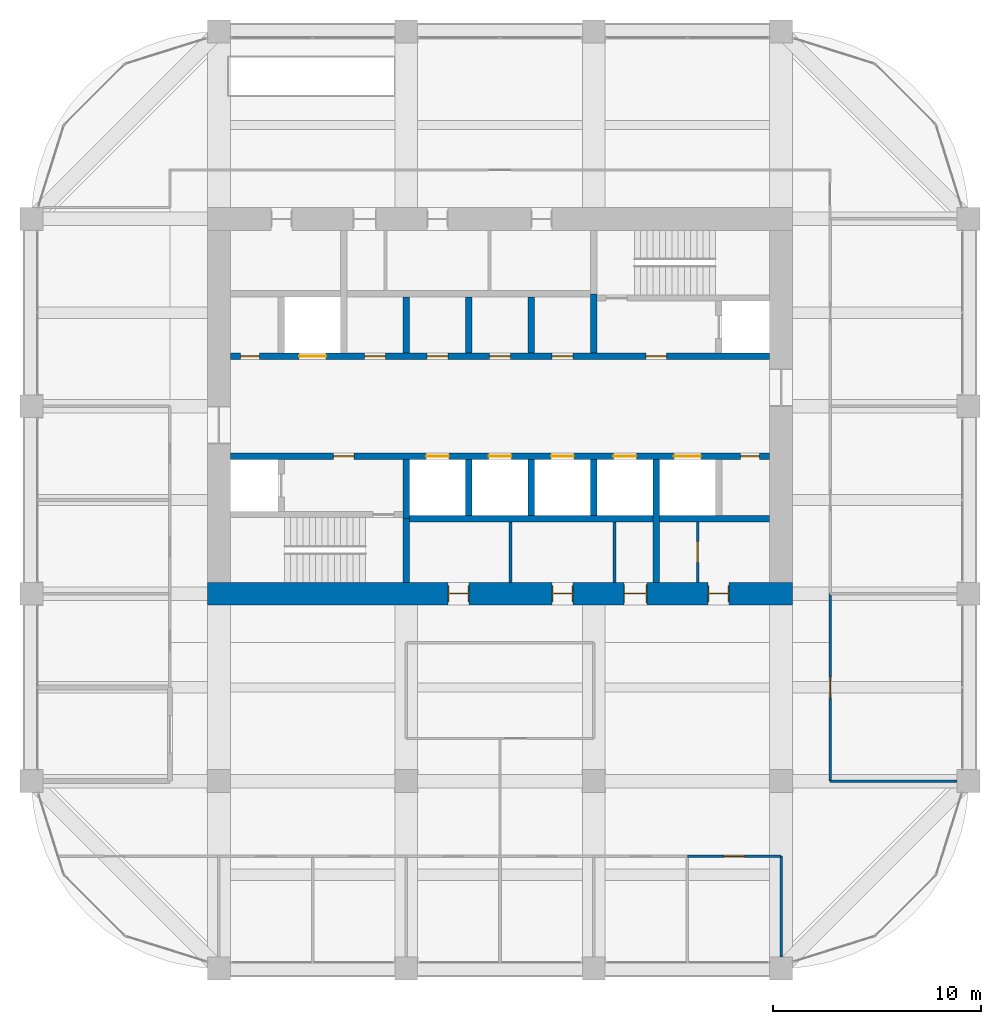
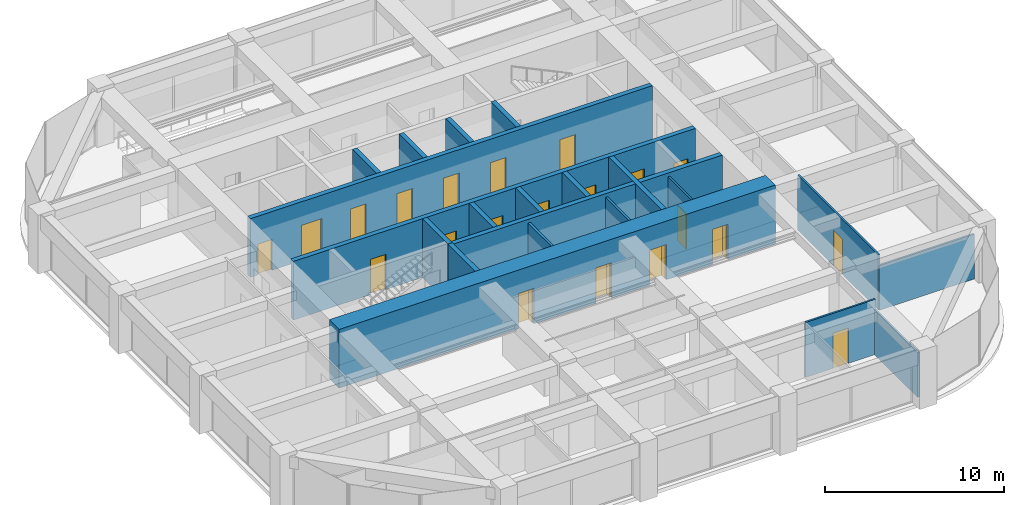
# One storey, part 42 of 44: 21 doors, 21 walls, 21 openings.
"""IFC4 building model written with IfcOpenShell, lengths in metres."""

from ifc_helpers import new_model, si_unit, direction, frame, frame_2d, origin, place, context, subcontext, project, spatial, rectangle, extrude, material, layer, layer_set, type_object, element, fill, save


model = new_model("IFC4")

# Units and contexts
model_context = context("Model", 3, precision=1e-05, world=origin(), true_north=direction((0.0, 1.0)))
body_context = subcontext(model_context, "Body", "Model", "MODEL_VIEW")
ifc_project = project(units=[si_unit("LENGTHUNIT", "METRE"), si_unit("AREAUNIT", "SQUARE_METRE"), si_unit("VOLUMEUNIT", "CUBIC_METRE"), si_unit("PLANEANGLEUNIT", "RADIAN"), si_unit("MASSUNIT", "GRAM", prefix="KILO")], contexts=[model_context])

# Site, building, storey
site_placement = place(None, origin())
site = spatial("IfcSite", under=ifc_project, at=site_placement, CompositionType="ELEMENT")
building_placement = place(site_placement, origin())
building = spatial("IfcBuilding", under=site, at=building_placement, Name="Zorevar Civic Tower", CompositionType="ELEMENT")
storey_placement = place(building_placement, frame((0.0, 0.0, 275.39990234375)))
storey = spatial("IfcBuildingStorey", under=building, at=storey_placement, Name="L67", CompositionType="ELEMENT", Elevation=275.39990234375)

# Wall, openings, doors
ifc_material_1 = material(Name="Concrete C50/60", Category="concrete")
ifc_layer_1 = layer(ifc_material_1, 1.10009765625)
ifc_layer_set_1 = layer_set([ifc_layer_1], Name="Core wall 1100")
wall_type_1 = type_object("IfcWallType", Name="Core wall 1100", PredefinedType="SHEAR", material=ifc_layer_set_1)
wall_1_placement = place(storey_placement, frame((17.449951171875, 18.0, 0.0), z_axis=(0.0, 0.0, 1.0), x_axis=(1.0, 0.0, 0.0)))
wall_1 = element("IfcWall", 1, at=wall_1_placement, inside=storey, type_object=wall_type_1, Name="Core wall S L67", PredefinedType="SHEAR", context=body_context, shape_type="SweptSolid", body=[
    extrude(rectangle(XDim=28.10009765625, YDim=1.10009765625, at=frame_2d((14.050048828125, 0.0))), origin(), (0.0, 0.0, 1.0), 4.0),
])
opening_1_placement = place(wall_1_placement, frame((11.550048828125, 0.0, 0.0)))
opening_1 = element("IfcOpeningElement", 2, at=opening_1_placement, cuts=wall_1, Name="Opening L67.03", PredefinedType="OPENING", context=body_context, shape_type="SweptSolid", body=[
    extrude(rectangle(XDim=1.0, YDim=2.39990234375, at=frame_2d((0.5, 1.199951171875))), frame((0.0, 0.56005859375, 0.0), z_axis=(0.0, -1.0, 0.0), x_axis=(1.0, 0.0, 0.0)), (0.0, 0.0, 1.0), 1.1201171875),
])
opening_2_placement = place(wall_1_placement, frame((16.550048828125, 0.0, 0.0)))
opening_2 = element("IfcOpeningElement", 3, at=opening_2_placement, cuts=wall_1, Name="Opening L67.04", PredefinedType="OPENING", context=body_context, shape_type="SweptSolid", body=[
    extrude(rectangle(XDim=1.0, YDim=2.39990234375, at=frame_2d((0.5, 1.199951171875))), frame((0.0, 0.56005859375, 0.0), z_axis=(0.0, -1.0, 0.0), x_axis=(1.0, 0.0, 0.0)), (0.0, 0.0, 1.0), 1.1201171875),
])
opening_3_placement = place(wall_1_placement, frame((20.0, 0.0, 0.0)))
opening_3 = element("IfcOpeningElement", 4, at=opening_3_placement, cuts=wall_1, Name="Opening L67.05", PredefinedType="OPENING", context=body_context, shape_type="SweptSolid", body=[
    extrude(rectangle(XDim=1.10009765625, YDim=2.39990234375, at=frame_2d((0.550048828125, 1.199951171875))), frame((0.0, 0.56005859375, 0.0), z_axis=(0.0, -1.0, 0.0), x_axis=(1.0, 0.0, 0.0)), (0.0, 0.0, 1.0), 1.1201171875),
])
opening_4_placement = place(wall_1_placement, frame((24.050048828125, 0.0, 0.0)))
opening_4 = element("IfcOpeningElement", 5, at=opening_4_placement, cuts=wall_1, Name="Opening L67.06", PredefinedType="OPENING", context=body_context, shape_type="SweptSolid", body=[
    extrude(rectangle(XDim=1.0, YDim=2.39990234375, at=frame_2d((0.5, 1.199951171875))), frame((0.0, 0.56005859375, 0.0), z_axis=(0.0, -1.0, 0.0), x_axis=(1.0, 0.0, 0.0)), (0.0, 0.0, 1.0), 1.1201171875),
])
ifc_material_2 = material(Name="Timber door set", Category="wood")
door_type_1 = type_object("IfcDoorType", Name="Door D1 1000x2400", OperationType="SINGLE_SWING_LEFT", PredefinedType="DOOR", material=ifc_material_2)
door_1_placement = place(opening_1_placement, origin())
door_1 = element("IfcDoor", 6, at=door_1_placement, inside=storey, type_object=door_type_1, Name="Door L67 02", OperationType="SINGLE_SWING_LEFT", OverallHeight=2.39990234375, OverallWidth=1.0, PredefinedType="DOOR", context=body_context, shape_type="SweptSolid", body=[
    extrude(rectangle(XDim=1.0, YDim=2.39990234375, at=frame_2d((0.5, 1.199951171875))), frame((0.0, 0.02490234375, 0.0), z_axis=(0.0, -1.0, 0.0), x_axis=(1.0, 0.0, 0.0)), (0.0, 0.0, 1.0), 0.050048828125),
    extrude(rectangle(XDim=0.04, YDim=2.39990234375, at=frame_2d((0.02001953125, 1.199951171875))), frame((0.0, 0.39990234375, 0.0), z_axis=(0.0, -1.0, 0.0), x_axis=(1.0, 0.0, 0.0)), (0.0, 0.0, 1.0), 0.800048828125),
    extrude(rectangle(XDim=0.04, YDim=2.39990234375, at=frame_2d((0.97998046875, 1.199951171875))), frame((0.0, 0.39990234375, 0.0), z_axis=(0.0, -1.0, 0.0), x_axis=(1.0, 0.0, 0.0)), (0.0, 0.0, 1.0), 0.800048828125),
    extrude(rectangle(XDim=1.0, YDim=0.04, at=frame_2d((0.5, 2.3798828125))), frame((0.0, 0.39990234375, 0.0), z_axis=(0.0, -1.0, 0.0), x_axis=(1.0, 0.0, 0.0)), (0.0, 0.0, 1.0), 0.800048828125),
])
fill(opening_1, door_1)
door_2_placement = place(opening_2_placement, origin())
door_2 = element("IfcDoor", 7, at=door_2_placement, inside=storey, type_object=door_type_1, Name="Door L67 03", OperationType="SINGLE_SWING_RIGHT", OverallHeight=2.39990234375, OverallWidth=1.0, PredefinedType="DOOR", context=body_context, shape_type="SweptSolid", body=[
    extrude(rectangle(XDim=1.0, YDim=2.39990234375, at=frame_2d((0.5, 1.199951171875))), frame((0.0, 0.02490234375, 0.0), z_axis=(0.0, -1.0, 0.0), x_axis=(1.0, 0.0, 0.0)), (0.0, 0.0, 1.0), 0.050048828125),
    extrude(rectangle(XDim=0.04, YDim=2.39990234375, at=frame_2d((0.02001953125, 1.199951171875))), frame((0.0, 0.39990234375, 0.0), z_axis=(0.0, -1.0, 0.0), x_axis=(1.0, 0.0, 0.0)), (0.0, 0.0, 1.0), 0.800048828125),
    extrude(rectangle(XDim=0.04, YDim=2.39990234375, at=frame_2d((0.97998046875, 1.199951171875))), frame((0.0, 0.39990234375, 0.0), z_axis=(0.0, -1.0, 0.0), x_axis=(1.0, 0.0, 0.0)), (0.0, 0.0, 1.0), 0.800048828125),
    extrude(rectangle(XDim=1.0, YDim=0.04, at=frame_2d((0.5, 2.3798828125))), frame((0.0, 0.39990234375, 0.0), z_axis=(0.0, -1.0, 0.0), x_axis=(1.0, 0.0, 0.0)), (0.0, 0.0, 1.0), 0.800048828125),
])
fill(opening_2, door_2)
door_3_placement = place(opening_4_placement, origin())
door_3 = element("IfcDoor", 8, at=door_3_placement, inside=storey, type_object=door_type_1, Name="Door L67 05", OperationType="SINGLE_SWING_RIGHT", OverallHeight=2.39990234375, OverallWidth=1.0, PredefinedType="DOOR", context=body_context, shape_type="SweptSolid", body=[
    extrude(rectangle(XDim=1.0, YDim=2.39990234375, at=frame_2d((0.5, 1.199951171875))), frame((0.0, 0.02490234375, 0.0), z_axis=(0.0, -1.0, 0.0), x_axis=(1.0, 0.0, 0.0)), (0.0, 0.0, 1.0), 0.050048828125),
    extrude(rectangle(XDim=0.04, YDim=2.39990234375, at=frame_2d((0.02001953125, 1.199951171875))), frame((0.0, 0.39990234375, 0.0), z_axis=(0.0, -1.0, 0.0), x_axis=(1.0, 0.0, 0.0)), (0.0, 0.0, 1.0), 0.800048828125),
    extrude(rectangle(XDim=0.04, YDim=2.39990234375, at=frame_2d((0.97998046875, 1.199951171875))), frame((0.0, 0.39990234375, 0.0), z_axis=(0.0, -1.0, 0.0), x_axis=(1.0, 0.0, 0.0)), (0.0, 0.0, 1.0), 0.800048828125),
    extrude(rectangle(XDim=1.0, YDim=0.04, at=frame_2d((0.5, 2.3798828125))), frame((0.0, 0.39990234375, 0.0), z_axis=(0.0, -1.0, 0.0), x_axis=(1.0, 0.0, 0.0)), (0.0, 0.0, 1.0), 0.800048828125),
])
fill(opening_4, door_3)
ifc_material_3 = material(Name="Timber door set", Category="wood")
door_type_2 = type_object("IfcDoorType", Name="Door D5 1100x2400", OperationType="SINGLE_SWING_LEFT", PredefinedType="DOOR", material=ifc_material_3)
door_4_placement = place(opening_3_placement, origin())
door_4 = element("IfcDoor", 9, at=door_4_placement, inside=storey, type_object=door_type_2, Name="Door L67 04", OperationType="SINGLE_SWING_RIGHT", OverallHeight=2.39990234375, OverallWidth=1.10009765625, PredefinedType="DOOR", context=body_context, shape_type="SweptSolid", body=[
    extrude(rectangle(XDim=1.10009765625, YDim=2.39990234375, at=frame_2d((0.550048828125, 1.199951171875))), frame((0.0, 0.02490234375, 0.0), z_axis=(0.0, -1.0, 0.0), x_axis=(1.0, 0.0, 0.0)), (0.0, 0.0, 1.0), 0.050048828125),
    extrude(rectangle(XDim=0.04, YDim=2.39990234375, at=frame_2d((0.02001953125, 1.199951171875))), frame((0.0, 0.43994140625, 0.0), z_axis=(0.0, -1.0, 0.0), x_axis=(1.0, 0.0, 0.0)), (0.0, 0.0, 1.0), 0.880126953125),
    extrude(rectangle(XDim=0.04, YDim=2.39990234375, at=frame_2d((1.080078125, 1.199951171875))), frame((0.0, 0.43994140625, 0.0), z_axis=(0.0, -1.0, 0.0), x_axis=(1.0, 0.0, 0.0)), (0.0, 0.0, 1.0), 0.880126953125),
    extrude(rectangle(XDim=1.10009765625, YDim=0.04, at=frame_2d((0.550048828125, 2.3798828125))), frame((0.0, 0.43994140625, 0.0), z_axis=(0.0, -1.0, 0.0), x_axis=(1.0, 0.0, 0.0)), (0.0, 0.0, 1.0), 0.880126953125),
])
fill(opening_3, door_4)

# Wall
ifc_material_4 = material(Name="Concrete C40/50", Category="concrete")
ifc_layer_2 = layer(ifc_material_4, 0.300048828125)
ifc_layer_set_2 = layer_set([ifc_layer_2], Name="Inner core wall 300")
wall_type_2 = type_object("IfcWallType", Name="Inner core wall 300", PredefinedType="SHEAR", material=ifc_layer_set_2)
wall_2_placement = place(storey_placement, frame((27.0, 18.550048828125, 0.0), z_axis=(0.0, 0.0, 1.0), x_axis=(0.0, 1.0, 0.0)))
element("IfcWall", 10, at=wall_2_placement, inside=storey, type_object=wall_type_2, Name="Inner core wall S01 L67", PredefinedType="SHEAR", context=body_context, shape_type="SweptSolid", body=[
    extrude(rectangle(XDim=3.050048828125, YDim=0.300048828125, at=frame_2d((1.52490234375, 0.0))), origin(), (0.0, 0.0, 1.0), 4.0),
])

# Wall, openings, doors
wall_3_placement = place(storey_placement, frame((18.550048828125, 24.60009765625, 0.0), z_axis=(0.0, 0.0, 1.0), x_axis=(1.0, 0.0, 0.0)))
wall_3 = element("IfcWall", 11, at=wall_3_placement, inside=storey, type_object=wall_type_2, Name="Inner core wall S03 L67", PredefinedType="SHEAR", context=body_context, shape_type="SweptSolid", body=[
    extrude(rectangle(XDim=25.89990234375, YDim=0.300048828125, at=frame_2d((12.949951171875, 0.0))), origin(), (0.0, 0.0, 1.0), 4.0),
])
opening_5_placement = place(wall_3_placement, frame((4.949951171875, 0.0, 0.0)))
opening_5 = element("IfcOpeningElement", 12, at=opening_5_placement, cuts=wall_3, Name="Opening L67.13", PredefinedType="OPENING", context=body_context, shape_type="SweptSolid", body=[
    extrude(rectangle(XDim=1.0, YDim=2.39990234375, at=frame_2d((0.5, 1.199951171875))), frame((0.0, 0.159912109375, 0.0), z_axis=(0.0, -1.0, 0.0), x_axis=(1.0, 0.0, 0.0)), (0.0, 0.0, 1.0), 0.320068359375),
])
opening_6_placement = place(wall_3_placement, frame((24.5, 0.0, 0.0)))
opening_6 = element("IfcOpeningElement", 13, at=opening_6_placement, cuts=wall_3, Name="Opening L67.15", PredefinedType="OPENING", context=body_context, shape_type="SweptSolid", body=[
    extrude(rectangle(XDim=0.89990234375, YDim=2.10009765625, at=frame_2d((0.449951171875, 1.050048828125))), frame((0.0, 0.159912109375, 0.0), z_axis=(0.0, -1.0, 0.0), x_axis=(1.0, 0.0, 0.0)), (0.0, 0.0, 1.0), 0.320068359375),
])
opening_7_placement = place(wall_3_placement, frame((9.39990234375, 0.0, 0.0)))
opening_7 = element("IfcOpeningElement", 14, at=opening_7_placement, cuts=wall_3, Name="Opening L67.LT1", PredefinedType="OPENING", context=body_context, shape_type="SweptSolid", body=[
    extrude(rectangle(XDim=1.10009765625, YDim=2.39990234375, at=frame_2d((0.550048828125, 1.199951171875))), frame((0.0, 0.159912109375, 0.0), z_axis=(0.0, -1.0, 0.0), x_axis=(1.0, 0.0, 0.0)), (0.0, 0.0, 1.0), 0.320068359375),
])
opening_8_placement = place(wall_3_placement, frame((12.39990234375, 0.0, 0.0)))
opening_8 = element("IfcOpeningElement", 15, at=opening_8_placement, cuts=wall_3, Name="Opening L67.LT2", PredefinedType="OPENING", context=body_context, shape_type="SweptSolid", body=[
    extrude(rectangle(XDim=1.10009765625, YDim=2.39990234375, at=frame_2d((0.550048828125, 1.199951171875))), frame((0.0, 0.159912109375, 0.0), z_axis=(0.0, -1.0, 0.0), x_axis=(1.0, 0.0, 0.0)), (0.0, 0.0, 1.0), 0.320068359375),
])
opening_9_placement = place(wall_3_placement, frame((15.39990234375, 0.0, 0.0)))
opening_9 = element("IfcOpeningElement", 16, at=opening_9_placement, cuts=wall_3, Name="Opening L67.LT3", PredefinedType="OPENING", context=body_context, shape_type="SweptSolid", body=[
    extrude(rectangle(XDim=1.10009765625, YDim=2.39990234375, at=frame_2d((0.550048828125, 1.199951171875))), frame((0.0, 0.159912109375, 0.0), z_axis=(0.0, -1.0, 0.0), x_axis=(1.0, 0.0, 0.0)), (0.0, 0.0, 1.0), 0.320068359375),
])
opening_10_placement = place(wall_3_placement, frame((18.39990234375, 0.0, 0.0)))
opening_10 = element("IfcOpeningElement", 17, at=opening_10_placement, cuts=wall_3, Name="Opening L67.LT4", PredefinedType="OPENING", context=body_context, shape_type="SweptSolid", body=[
    extrude(rectangle(XDim=1.10009765625, YDim=2.39990234375, at=frame_2d((0.550048828125, 1.199951171875))), frame((0.0, 0.159912109375, 0.0), z_axis=(0.0, -1.0, 0.0), x_axis=(1.0, 0.0, 0.0)), (0.0, 0.0, 1.0), 0.320068359375),
])
opening_11_placement = place(wall_3_placement, frame((21.300048828125, 0.0, 0.0)))
opening_11 = element("IfcOpeningElement", 18, at=opening_11_placement, cuts=wall_3, Name="Opening L67.SL1", PredefinedType="OPENING", context=body_context, shape_type="SweptSolid", body=[
    extrude(rectangle(XDim=1.300048828125, YDim=2.39990234375, at=frame_2d((0.64990234375, 1.199951171875))), frame((0.0, 0.159912109375, 0.0), z_axis=(0.0, -1.0, 0.0), x_axis=(1.0, 0.0, 0.0)), (0.0, 0.0, 1.0), 0.320068359375),
])
ifc_material_5 = material(Name="Steel door set", Category="steel")
door_type_3 = type_object("IfcDoorType", Name="Fire door FD1 1000x2400", OperationType="SINGLE_SWING_LEFT", PredefinedType="DOOR", material=ifc_material_5)
door_5_placement = place(opening_5_placement, origin())
door_5 = element("IfcDoor", 19, at=door_5_placement, inside=storey, type_object=door_type_3, Name="Door L67 12", OperationType="SINGLE_SWING_RIGHT", OverallHeight=2.39990234375, OverallWidth=1.0, PredefinedType="DOOR", context=body_context, shape_type="SweptSolid", body=[
    extrude(rectangle(XDim=1.0, YDim=2.39990234375, at=frame_2d((0.5, 1.199951171875))), frame((0.0, 0.030029296875, 0.0), z_axis=(0.0, -1.0, 0.0), x_axis=(1.0, 0.0, 0.0)), (0.0, 0.0, 1.0), 0.06005859375),
])
fill(opening_5, door_5)
ifc_material_6 = material(Name="Steel door set", Category="steel")
door_type_4 = type_object("IfcDoorType", Name="Landing door LD1 1100x2400", OperationType="DOUBLE_DOOR_SLIDING", PredefinedType="DOOR", material=ifc_material_6)
door_6_placement = place(opening_7_placement, origin())
door_6 = element("IfcDoor", 20, at=door_6_placement, inside=storey, type_object=door_type_4, Name="Landing door LT1 L67", OperationType="DOUBLE_DOOR_SLIDING", OverallHeight=2.39990234375, OverallWidth=1.10009765625, PredefinedType="DOOR", context=body_context, shape_type="SweptSolid", body=[
    extrude(rectangle(XDim=1.10009765625, YDim=2.39990234375, at=frame_2d((0.550048828125, 1.199951171875))), frame((0.0, 0.02001953125, 0.0), z_axis=(0.0, -1.0, 0.0), x_axis=(1.0, 0.0, 0.0)), (0.0, 0.0, 1.0), 0.0400390625),
])
fill(opening_7, door_6)
door_7_placement = place(opening_8_placement, origin())
door_7 = element("IfcDoor", 21, at=door_7_placement, inside=storey, type_object=door_type_4, Name="Landing door LT2 L67", OperationType="DOUBLE_DOOR_SLIDING", OverallHeight=2.39990234375, OverallWidth=1.10009765625, PredefinedType="DOOR", context=body_context, shape_type="SweptSolid", body=[
    extrude(rectangle(XDim=1.10009765625, YDim=2.39990234375, at=frame_2d((0.550048828125, 1.199951171875))), frame((0.0, 0.02001953125, 0.0), z_axis=(0.0, -1.0, 0.0), x_axis=(1.0, 0.0, 0.0)), (0.0, 0.0, 1.0), 0.0400390625),
])
fill(opening_8, door_7)
door_8_placement = place(opening_9_placement, origin())
door_8 = element("IfcDoor", 22, at=door_8_placement, inside=storey, type_object=door_type_4, Name="Landing door LT3 L67", OperationType="DOUBLE_DOOR_SLIDING", OverallHeight=2.39990234375, OverallWidth=1.10009765625, PredefinedType="DOOR", context=body_context, shape_type="SweptSolid", body=[
    extrude(rectangle(XDim=1.10009765625, YDim=2.39990234375, at=frame_2d((0.550048828125, 1.199951171875))), frame((0.0, 0.02001953125, 0.0), z_axis=(0.0, -1.0, 0.0), x_axis=(1.0, 0.0, 0.0)), (0.0, 0.0, 1.0), 0.0400390625),
])
fill(opening_9, door_8)
door_9_placement = place(opening_10_placement, origin())
door_9 = element("IfcDoor", 23, at=door_9_placement, inside=storey, type_object=door_type_4, Name="Landing door LT4 L67", OperationType="DOUBLE_DOOR_SLIDING", OverallHeight=2.39990234375, OverallWidth=1.10009765625, PredefinedType="DOOR", context=body_context, shape_type="SweptSolid", body=[
    extrude(rectangle(XDim=1.10009765625, YDim=2.39990234375, at=frame_2d((0.550048828125, 1.199951171875))), frame((0.0, 0.02001953125, 0.0), z_axis=(0.0, -1.0, 0.0), x_axis=(1.0, 0.0, 0.0)), (0.0, 0.0, 1.0), 0.0400390625),
])
fill(opening_10, door_9)
ifc_material_7 = material(Name="Steel door set", Category="steel")
door_type_5 = type_object("IfcDoorType", Name="Landing door LD2 1300x2400", OperationType="DOUBLE_DOOR_SLIDING", PredefinedType="DOOR", material=ifc_material_7)
door_10_placement = place(opening_11_placement, origin())
door_10 = element("IfcDoor", 24, at=door_10_placement, inside=storey, type_object=door_type_5, Name="Landing door SL1 L67", OperationType="DOUBLE_DOOR_SLIDING", OverallHeight=2.39990234375, OverallWidth=1.300048828125, PredefinedType="DOOR", context=body_context, shape_type="SweptSolid", body=[
    extrude(rectangle(XDim=1.300048828125, YDim=2.39990234375, at=frame_2d((0.64990234375, 1.199951171875))), frame((0.0, 0.02001953125, 0.0), z_axis=(0.0, -1.0, 0.0), x_axis=(1.0, 0.0, 0.0)), (0.0, 0.0, 1.0), 0.0400390625),
])
fill(opening_11, door_10)
ifc_material_8 = material(Name="Steel door set", Category="steel")
door_type_6 = type_object("IfcDoorType", Name="Riser door RD1 900x2100", OperationType="SINGLE_SWING_LEFT", PredefinedType="DOOR", material=ifc_material_8)
door_11_placement = place(opening_6_placement, origin())
door_11 = element("IfcDoor", 25, at=door_11_placement, inside=storey, type_object=door_type_6, Name="Door L67 14", OperationType="SINGLE_SWING_RIGHT", OverallHeight=2.10009765625, OverallWidth=0.89990234375, PredefinedType="DOOR", context=body_context, shape_type="SweptSolid", body=[
    extrude(rectangle(XDim=0.89990234375, YDim=2.10009765625, at=frame_2d((0.449951171875, 1.050048828125))), frame((0.0, 0.030029296875, 0.0), z_axis=(0.0, -1.0, 0.0), x_axis=(1.0, 0.0, 0.0)), (0.0, 0.0, 1.0), 0.06005859375),
])
fill(opening_6, door_11)

wall_4_placement = place(storey_placement, frame((18.550048828125, 29.39990234375, 0.0), z_axis=(0.0, 0.0, 1.0), x_axis=(1.0, 0.0, 0.0)))
wall_4 = element("IfcWall", 26, at=wall_4_placement, inside=storey, type_object=wall_type_2, Name="Inner core wall N03 L67", PredefinedType="SHEAR", context=body_context, shape_type="SweptSolid", body=[
    extrude(rectangle(XDim=25.89990234375, YDim=0.300048828125, at=frame_2d((12.949951171875, 0.0))), origin(), (0.0, 0.0, 1.0), 4.0),
])
opening_12_placement = place(wall_4_placement, frame((19.949951171875, 0.0, 0.0)))
opening_12 = element("IfcOpeningElement", 27, at=opening_12_placement, cuts=wall_4, Name="Opening L67.14", PredefinedType="OPENING", context=body_context, shape_type="SweptSolid", body=[
    extrude(rectangle(XDim=1.0, YDim=2.39990234375, at=frame_2d((0.5, 1.199951171875))), frame((0.0, 0.159912109375, 0.0), z_axis=(0.0, -1.0, 0.0), x_axis=(1.0, 0.0, 0.0)), (0.0, 0.0, 1.0), 0.320068359375),
])
opening_13_placement = place(wall_4_placement, frame((0.5, 0.0, 0.0)))
opening_13 = element("IfcOpeningElement", 28, at=opening_13_placement, cuts=wall_4, Name="Opening L67.16", PredefinedType="OPENING", context=body_context, shape_type="SweptSolid", body=[
    extrude(rectangle(XDim=0.89990234375, YDim=2.10009765625, at=frame_2d((0.449951171875, 1.050048828125))), frame((0.0, 0.159912109375, 0.0), z_axis=(0.0, -1.0, 0.0), x_axis=(1.0, 0.0, 0.0)), (0.0, 0.0, 1.0), 0.320068359375),
])
opening_14_placement = place(wall_4_placement, frame((15.449951171875, 0.0, 0.0)))
opening_14 = element("IfcOpeningElement", 29, at=opening_14_placement, cuts=wall_4, Name="Opening L67.35", PredefinedType="OPENING", context=body_context, shape_type="SweptSolid", body=[
    extrude(rectangle(XDim=1.0, YDim=2.39990234375, at=frame_2d((0.5, 1.199951171875))), frame((0.0, 0.159912109375, 0.0), z_axis=(0.0, -1.0, 0.0), x_axis=(1.0, 0.0, 0.0)), (0.0, 0.0, 1.0), 0.320068359375),
])
opening_15_placement = place(wall_4_placement, frame((12.449951171875, 0.0, 0.0)))
opening_15 = element("IfcOpeningElement", 30, at=opening_15_placement, cuts=wall_4, Name="Opening L67.36", PredefinedType="OPENING", context=body_context, shape_type="SweptSolid", body=[
    extrude(rectangle(XDim=1.0, YDim=2.39990234375, at=frame_2d((0.5, 1.199951171875))), frame((0.0, 0.159912109375, 0.0), z_axis=(0.0, -1.0, 0.0), x_axis=(1.0, 0.0, 0.0)), (0.0, 0.0, 1.0), 0.320068359375),
])
opening_16_placement = place(wall_4_placement, frame((9.449951171875, 0.0, 0.0)))
opening_16 = element("IfcOpeningElement", 31, at=opening_16_placement, cuts=wall_4, Name="Opening L67.37", PredefinedType="OPENING", context=body_context, shape_type="SweptSolid", body=[
    extrude(rectangle(XDim=1.0, YDim=2.39990234375, at=frame_2d((0.5, 1.199951171875))), frame((0.0, 0.159912109375, 0.0), z_axis=(0.0, -1.0, 0.0), x_axis=(1.0, 0.0, 0.0)), (0.0, 0.0, 1.0), 0.320068359375),
])
opening_17_placement = place(wall_4_placement, frame((6.449951171875, 0.0, 0.0)))
opening_17 = element("IfcOpeningElement", 32, at=opening_17_placement, cuts=wall_4, Name="Opening L67.38", PredefinedType="OPENING", context=body_context, shape_type="SweptSolid", body=[
    extrude(rectangle(XDim=1.0, YDim=2.39990234375, at=frame_2d((0.5, 1.199951171875))), frame((0.0, 0.159912109375, 0.0), z_axis=(0.0, -1.0, 0.0), x_axis=(1.0, 0.0, 0.0)), (0.0, 0.0, 1.0), 0.320068359375),
])
opening_18_placement = place(wall_4_placement, frame((3.300048828125, 0.0, 0.0)))
opening_18 = element("IfcOpeningElement", 33, at=opening_18_placement, cuts=wall_4, Name="Opening L67.SL2", PredefinedType="OPENING", context=body_context, shape_type="SweptSolid", body=[
    extrude(rectangle(XDim=1.300048828125, YDim=2.39990234375, at=frame_2d((0.64990234375, 1.199951171875))), frame((0.0, 0.159912109375, 0.0), z_axis=(0.0, -1.0, 0.0), x_axis=(1.0, 0.0, 0.0)), (0.0, 0.0, 1.0), 0.320068359375),
])
door_12_placement = place(opening_12_placement, origin())
door_12 = element("IfcDoor", 34, at=door_12_placement, inside=storey, type_object=door_type_3, Name="Door L67 13", OperationType="SINGLE_SWING_RIGHT", OverallHeight=2.39990234375, OverallWidth=1.0, PredefinedType="DOOR", context=body_context, shape_type="SweptSolid", body=[
    extrude(rectangle(XDim=1.0, YDim=2.39990234375, at=frame_2d((0.5, 1.199951171875))), frame((0.0, 0.030029296875, 0.0), z_axis=(0.0, -1.0, 0.0), x_axis=(1.0, 0.0, 0.0)), (0.0, 0.0, 1.0), 0.06005859375),
])
fill(opening_12, door_12)
door_13_placement = place(opening_14_placement, origin())
door_13 = element("IfcDoor", 35, at=door_13_placement, inside=storey, type_object=door_type_3, Name="Door L67 LM1 shaft room", OperationType="SINGLE_SWING_LEFT", OverallHeight=2.39990234375, OverallWidth=1.0, PredefinedType="DOOR", context=body_context, shape_type="SweptSolid", body=[
    extrude(rectangle(XDim=1.0, YDim=2.39990234375, at=frame_2d((0.5, 1.199951171875))), frame((0.0, 0.030029296875, 0.0), z_axis=(0.0, -1.0, 0.0), x_axis=(1.0, 0.0, 0.0)), (0.0, 0.0, 1.0), 0.06005859375),
])
fill(opening_14, door_13)
door_14_placement = place(opening_15_placement, origin())
door_14 = element("IfcDoor", 36, at=door_14_placement, inside=storey, type_object=door_type_3, Name="Door L67 LM2 shaft room", OperationType="SINGLE_SWING_RIGHT", OverallHeight=2.39990234375, OverallWidth=1.0, PredefinedType="DOOR", context=body_context, shape_type="SweptSolid", body=[
    extrude(rectangle(XDim=1.0, YDim=2.39990234375, at=frame_2d((0.5, 1.199951171875))), frame((0.0, 0.030029296875, 0.0), z_axis=(0.0, -1.0, 0.0), x_axis=(1.0, 0.0, 0.0)), (0.0, 0.0, 1.0), 0.06005859375),
])
fill(opening_15, door_14)
door_15_placement = place(opening_16_placement, origin())
door_15 = element("IfcDoor", 37, at=door_15_placement, inside=storey, type_object=door_type_3, Name="Door L67 LH1 shaft room", OperationType="SINGLE_SWING_RIGHT", OverallHeight=2.39990234375, OverallWidth=1.0, PredefinedType="DOOR", context=body_context, shape_type="SweptSolid", body=[
    extrude(rectangle(XDim=1.0, YDim=2.39990234375, at=frame_2d((0.5, 1.199951171875))), frame((0.0, 0.030029296875, 0.0), z_axis=(0.0, -1.0, 0.0), x_axis=(1.0, 0.0, 0.0)), (0.0, 0.0, 1.0), 0.06005859375),
])
fill(opening_16, door_15)
door_16_placement = place(opening_17_placement, origin())
door_16 = element("IfcDoor", 38, at=door_16_placement, inside=storey, type_object=door_type_3, Name="Door L67 LH2 shaft room", OperationType="SINGLE_SWING_RIGHT", OverallHeight=2.39990234375, OverallWidth=1.0, PredefinedType="DOOR", context=body_context, shape_type="SweptSolid", body=[
    extrude(rectangle(XDim=1.0, YDim=2.39990234375, at=frame_2d((0.5, 1.199951171875))), frame((0.0, 0.030029296875, 0.0), z_axis=(0.0, -1.0, 0.0), x_axis=(1.0, 0.0, 0.0)), (0.0, 0.0, 1.0), 0.06005859375),
])
fill(opening_17, door_16)
door_17_placement = place(opening_18_placement, origin())
door_17 = element("IfcDoor", 39, at=door_17_placement, inside=storey, type_object=door_type_5, Name="Landing door SL2 L67", OperationType="DOUBLE_DOOR_SLIDING", OverallHeight=2.39990234375, OverallWidth=1.300048828125, PredefinedType="DOOR", context=body_context, shape_type="SweptSolid", body=[
    extrude(rectangle(XDim=1.300048828125, YDim=2.39990234375, at=frame_2d((0.64990234375, 1.199951171875))), frame((0.0, 0.02001953125, 0.0), z_axis=(0.0, -1.0, 0.0), x_axis=(1.0, 0.0, 0.0)), (0.0, 0.0, 1.0), 0.0400390625),
])
fill(opening_18, door_17)
door_18_placement = place(opening_13_placement, origin())
door_18 = element("IfcDoor", 40, at=door_18_placement, inside=storey, type_object=door_type_6, Name="Door L67 15", OperationType="SINGLE_SWING_RIGHT", OverallHeight=2.10009765625, OverallWidth=0.89990234375, PredefinedType="DOOR", context=body_context, shape_type="SweptSolid", body=[
    extrude(rectangle(XDim=0.89990234375, YDim=2.10009765625, at=frame_2d((0.449951171875, 1.050048828125))), frame((0.0, 0.030029296875, 0.0), z_axis=(0.0, -1.0, 0.0), x_axis=(1.0, 0.0, 0.0)), (0.0, 0.0, 1.0), 0.06005859375),
])
fill(opening_13, door_18)

# Walls
wall_5_placement = place(storey_placement, frame((27.14990234375, 21.60009765625, 0.0), z_axis=(0.0, 0.0, 1.0), x_axis=(1.0, 0.0, 0.0)))
element("IfcWall", 41, at=wall_5_placement, inside=storey, type_object=wall_type_2, Name="Inner core wall S04 L67", PredefinedType="SHEAR", context=body_context, shape_type="SweptSolid", body=[
    extrude(rectangle(XDim=17.300048828125, YDim=0.300048828125, at=frame_2d((8.64990234375, 0.0))), origin(), (0.0, 0.0, 1.0), 4.0),
])
for number, where, z_axis, x_axis, name in (
    (42, (30.0, 21.75, 0.0), (0.0, 0.0, 1.0), (0.0, 1.0, 0.0), "Inner core wall S05 L67"),
    (43, (33.0, 29.550048828125, 0.0), (0.0, 0.0, 1.0), (0.0, 1.0, 0.0), "Inner core wall N05 L67"),
    (44, (33.0, 21.75, 0.0), (0.0, 0.0, 1.0), (0.0, 1.0, 0.0), "Inner core wall S06 L67"),
    (45, (30.0, 29.550048828125, 0.0), (0.0, 0.0, 1.0), (0.0, 1.0, 0.0), "Inner core wall N06 L67"),
    (46, (36.0, 21.75, 0.0), (0.0, 0.0, 1.0), (0.0, 1.0, 0.0), "Inner core wall S07 L67"),
    (47, (27.0, 29.550048828125, 0.0), (0.0, 0.0, 1.0), (0.0, 1.0, 0.0), "Inner core wall N07 L67"),
):
    element("IfcWall", number, at=place(storey_placement, frame(where, z_axis=z_axis, x_axis=x_axis)), inside=storey, type_object=wall_type_2, Name=name, PredefinedType="SHEAR", context=body_context, shape_type="SweptSolid", body=[
        extrude(rectangle(XDim=2.699951171875, YDim=0.300048828125, at=frame_2d((1.35009765625, 0.0))), origin(), (0.0, 0.0, 1.0), 4.0),
    ])
wall_6_placement = place(storey_placement, frame((39.0, 18.550048828125, 0.0), z_axis=(0.0, 0.0, 1.0), x_axis=(0.0, 1.0, 0.0)))
element("IfcWall", 48, at=wall_6_placement, inside=storey, type_object=wall_type_2, Name="Inner core wall S08 L67", PredefinedType="SHEAR", context=body_context, shape_type="SweptSolid", body=[
    extrude(rectangle(XDim=5.89990234375, YDim=0.300048828125, at=frame_2d((2.949951171875, 0.0))), origin(), (0.0, 0.0, 1.0), 4.0),
])
for number, where, z_axis, x_axis, name in (
    (49, (27.0, 21.60009765625, 0.0), (0.0, 0.0, 1.0), (0.0, 1.0, 0.0), "Inner core wall S10 L67"),
    (50, (36.0, 29.550048828125, 0.0), (0.0, 0.0, 1.0), (0.0, 1.0, 0.0), "Inner core wall N10 L67"),
):
    element("IfcWall", number, at=place(storey_placement, frame(where, z_axis=z_axis, x_axis=x_axis)), inside=storey, type_object=wall_type_2, Name=name, PredefinedType="SHEAR", context=body_context, shape_type="SweptSolid", body=[
        extrude(rectangle(XDim=2.849853515625, YDim=0.300048828125, at=frame_2d((1.4248046875, 0.0))), origin(), (0.0, 0.0, 1.0), 4.0),
    ])

# Wall, opening, door
ifc_material_9 = material(Name="Gypsum board on steel studs", Category="steel")
ifc_layer_3 = layer(ifc_material_9, 0.1201171875)
ifc_layer_set_3 = layer_set([ifc_layer_3], Name="Partition 120")
wall_type_3 = type_object("IfcWallType", Name="Partition 120", PredefinedType="PARTITIONING", material=ifc_layer_set_3)
wall_7_placement = place(storey_placement, frame((40.5, 5.39990234375, 0.0), z_axis=(0.0, 0.0, 1.0), x_axis=(1.0, 0.0, 0.0)))
wall_7 = element("IfcWall", 51, at=wall_7_placement, inside=storey, type_object=wall_type_3, Name="Partition 120 L67", PredefinedType="PARTITIONING", context=body_context, shape_type="SweptSolid", body=[
    extrude(rectangle(XDim=4.5, YDim=0.1201171875, at=frame_2d((2.25, 0.0))), origin(), (0.0, 0.0, 1.0), 3.75),
])
opening_19_placement = place(wall_7_placement, frame((1.75, 0.0, 0.0)))
opening_19 = element("IfcOpeningElement", 52, at=opening_19_placement, cuts=wall_7, Name="Opening L67.22", PredefinedType="OPENING", context=body_context, shape_type="SweptSolid", body=[
    extrude(rectangle(XDim=1.0, YDim=2.39990234375, at=frame_2d((0.5, 1.199951171875))), frame((0.0, 0.070068359375, 0.0), z_axis=(0.0, -1.0, 0.0), x_axis=(1.0, 0.0, 0.0)), (0.0, 0.0, 1.0), 0.14013671875),
])
door_19_placement = place(opening_19_placement, origin())
door_19 = element("IfcDoor", 53, at=door_19_placement, inside=storey, type_object=door_type_1, Name="Door L67 D1", OperationType="SINGLE_SWING_LEFT", OverallHeight=2.39990234375, OverallWidth=1.0, PredefinedType="DOOR", context=body_context, shape_type="SweptSolid", body=[
    extrude(rectangle(XDim=1.0, YDim=2.39990234375, at=frame_2d((0.5, 1.199951171875))), frame((0.0, 0.02490234375, 0.0), z_axis=(0.0, -1.0, 0.0), x_axis=(1.0, 0.0, 0.0)), (0.0, 0.0, 1.0), 0.050048828125),
])
fill(opening_19, door_19)

# Walls
wall_8_placement = place(storey_placement, frame((47.35009765625, 9.0, 0.0), z_axis=(0.0, 0.0, 1.0), x_axis=(1.0, 0.0, 0.0)))
element("IfcWall", 54, at=wall_8_placement, inside=storey, type_object=wall_type_3, Name="Partition 120 L67", PredefinedType="PARTITIONING", context=body_context, shape_type="SweptSolid", body=[
    extrude(rectangle(XDim=6.099853515625, YDim=0.1201171875, at=frame_2d((3.0498046875, 0.0))), origin(), (0.0, 0.0, 1.0), 3.050048828125),
])
wall_9_placement = place(storey_placement, frame((45.0, 0.550048828125, 0.0), z_axis=(0.0, 0.0, 1.0), x_axis=(0.0, 1.0, 0.0)))
element("IfcWall", 55, at=wall_9_placement, inside=storey, type_object=wall_type_3, Name="Partition 120 L67", PredefinedType="PARTITIONING", context=body_context, shape_type="SweptSolid", body=[
    extrude(rectangle(XDim=4.849853515625, YDim=0.1201171875, at=frame_2d((2.4248046875, 0.0))), origin(), (0.0, 0.0, 1.0), 3.050048828125),
])

# Wall, opening, door
wall_10_placement = place(storey_placement, frame((47.35009765625, 9.0, 0.0), z_axis=(0.0, 0.0, 1.0), x_axis=(0.0, 1.0, 0.0)))
wall_10 = element("IfcWall", 56, at=wall_10_placement, inside=storey, type_object=wall_type_3, Name="Partition 120 L67", PredefinedType="PARTITIONING", context=body_context, shape_type="SweptSolid", body=[
    extrude(rectangle(XDim=9.0, YDim=0.1201171875, at=frame_2d((4.5, 0.0))), origin(), (0.0, 0.0, 1.0), 3.75),
])
opening_20_placement = place(wall_10_placement, frame((4.0, 0.0, 0.0)))
opening_20 = element("IfcOpeningElement", 57, at=opening_20_placement, cuts=wall_10, Name="Opening L67.30", PredefinedType="OPENING", context=body_context, shape_type="SweptSolid", body=[
    extrude(rectangle(XDim=1.0, YDim=2.39990234375, at=frame_2d((0.5, 1.199951171875))), frame((0.0, 0.070068359375, 0.0), z_axis=(0.0, -1.0, 0.0), x_axis=(1.0, 0.0, 0.0)), (0.0, 0.0, 1.0), 0.14013671875),
])
door_20_placement = place(opening_20_placement, origin())
door_20 = element("IfcDoor", 58, at=door_20_placement, inside=storey, type_object=door_type_1, Name="Door L67 D1", OperationType="SINGLE_SWING_LEFT", OverallHeight=2.39990234375, OverallWidth=1.0, PredefinedType="DOOR", context=body_context, shape_type="SweptSolid", body=[
    extrude(rectangle(XDim=1.0, YDim=2.39990234375, at=frame_2d((0.5, 1.199951171875))), frame((0.0, 0.02490234375, 0.0), z_axis=(0.0, -1.0, 0.0), x_axis=(1.0, 0.0, 0.0)), (0.0, 0.0, 1.0), 0.050048828125),
])
fill(opening_20, door_20)

wall_11_placement = place(storey_placement, frame((41.0, 18.550048828125, 0.0), z_axis=(0.0, 0.0, 1.0), x_axis=(0.0, 1.0, 0.0)))
wall_11 = element("IfcWall", 59, at=wall_11_placement, inside=storey, type_object=wall_type_3, Name="Partition L67", PredefinedType="PARTITIONING", context=body_context, shape_type="SweptSolid", body=[
    extrude(rectangle(XDim=2.89990234375, YDim=0.1201171875, at=frame_2d((1.449951171875, 0.0))), origin(), (0.0, 0.0, 1.0), 3.75),
])
opening_21_placement = place(wall_11_placement, frame((0.949951171875, 0.0, 0.0)))
opening_21 = element("IfcOpeningElement", 60, at=opening_21_placement, cuts=wall_11, Name="Opening L67.34", PredefinedType="OPENING", context=body_context, shape_type="SweptSolid", body=[
    extrude(rectangle(XDim=1.0, YDim=2.39990234375, at=frame_2d((0.5, 1.199951171875))), frame((0.0, 0.070068359375, 0.0), z_axis=(0.0, -1.0, 0.0), x_axis=(1.0, 0.0, 0.0)), (0.0, 0.0, 1.0), 0.14013671875),
])
door_21_placement = place(opening_21_placement, origin())
door_21 = element("IfcDoor", 61, at=door_21_placement, inside=storey, type_object=door_type_3, Name="Door L67 ES", OperationType="SINGLE_SWING_LEFT", OverallHeight=2.39990234375, OverallWidth=1.0, PredefinedType="DOOR", context=body_context, shape_type="SweptSolid", body=[
    extrude(rectangle(XDim=1.0, YDim=2.39990234375, at=frame_2d((0.5, 1.199951171875))), frame((0.0, 0.030029296875, 0.0), z_axis=(0.0, -1.0, 0.0), x_axis=(1.0, 0.0, 0.0)), (0.0, 0.0, 1.0), 0.06005859375),
])
fill(opening_21, door_21)

# Walls
ifc_material_10 = material(Name="Gypsum board on steel studs, moisture resistant", Category="steel")
ifc_layer_4 = layer(ifc_material_10, 0.14990234375)
ifc_layer_set_4 = layer_set([ifc_layer_4], Name="WC partition 150")
wall_type_4 = type_object("IfcWallType", Name="WC partition 150", PredefinedType="PARTITIONING", material=ifc_layer_set_4)
for number, where, z_axis, x_axis, name in (
    (62, (32.0, 18.550048828125, 0.0), (0.0, 0.0, 1.0), (0.0, 1.0, 0.0), "WC partition L67"),
    (63, (37.0, 18.550048828125, 0.0), (0.0, 0.0, 1.0), (0.0, 1.0, 0.0), "WC partition L67"),
):
    element("IfcWall", number, at=place(storey_placement, frame(where, z_axis=z_axis, x_axis=x_axis)), inside=storey, type_object=wall_type_4, Name=name, PredefinedType="PARTITIONING", context=body_context, shape_type="SweptSolid", body=[
        extrude(rectangle(XDim=2.89990234375, YDim=0.14990234375, at=frame_2d((1.449951171875, 0.0))), origin(), (0.0, 0.0, 1.0), 3.75),
    ])

save(model, "model.ifc")
